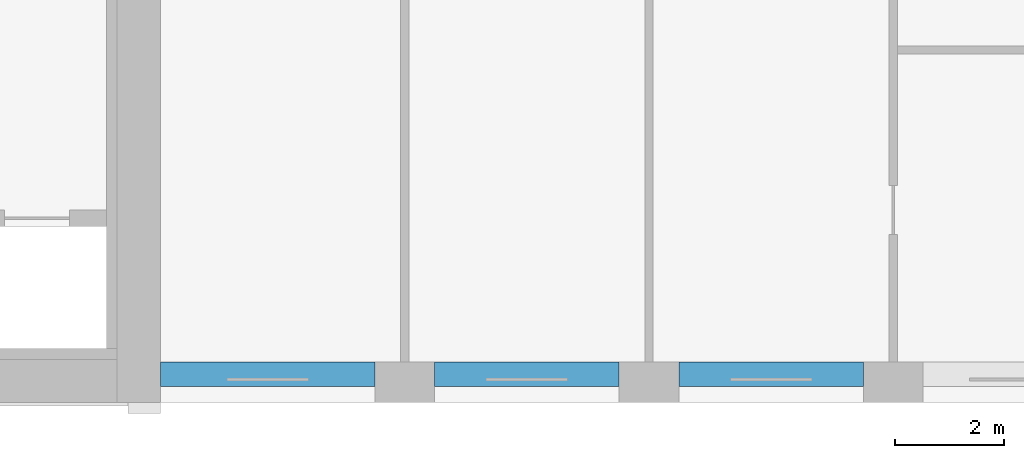
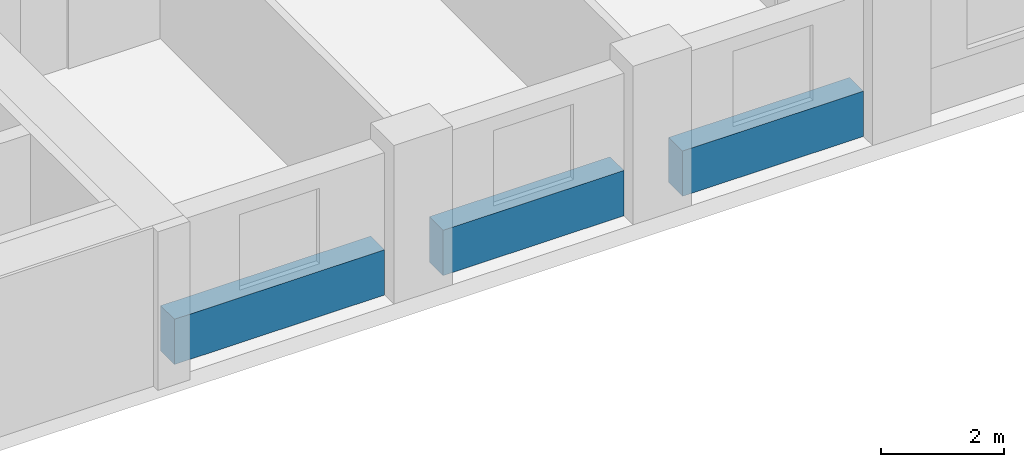
# One storey, part 3 of 16: 3 beams.
"""IFC4 building model written with IfcOpenShell, lengths in metres."""

from ifc_helpers import new_model, si_unit, direction, frame, origin, origin_2d, place, context, subcontext, project, spatial, rectangle, extrude, material, material_profile, profile_set, type_object, element, save


model = new_model("IFC4")

# Units and contexts
model_context = context("Model", 3, precision=1e-05, world=origin(), true_north=direction((0.0, 1.0)))
body_context = subcontext(model_context, "Body", "Model", "MODEL_VIEW")
ifc_project = project(units=[si_unit("LENGTHUNIT", "METRE"), si_unit("AREAUNIT", "SQUARE_METRE"), si_unit("VOLUMEUNIT", "CUBIC_METRE"), si_unit("PLANEANGLEUNIT", "RADIAN"), si_unit("MASSUNIT", "GRAM", prefix="KILO")], contexts=[model_context])

# Site, building, storey
site_placement = place(None, origin())
site = spatial("IfcSite", under=ifc_project, at=site_placement, CompositionType="ELEMENT")
building_placement = place(site_placement, origin())
building = spatial("IfcBuilding", under=site, at=building_placement, Name="Brigalow Station Residences", CompositionType="ELEMENT")
storey_placement = place(building_placement, frame((0.0, 0.0, 105.60009765625)))
storey = spatial("IfcBuildingStorey", under=building, at=storey_placement, Name="L30", CompositionType="ELEMENT", Elevation=105.60009765625)

# Beams
ifc_material = material(Name="Concrete C65", Category="concrete")
ifc_material_profile = material_profile(ifc_material, rectangle(XDim=0.449951171875, YDim=0.89990234375, at=origin_2d()), Name="RC450x900")
ifc_profile_set = profile_set([ifc_material_profile], Name="Concrete C65")
beam_type = type_object("IfcBeamType", Name="SPANDREL BEAM 450x900 C65", PredefinedType="SPANDREL", material=ifc_profile_set)
beam_placement = place(storey_placement, frame((54.0, 0.52490234375, 0.449951171875), z_axis=(1.0, 0.0, 0.0), x_axis=(0.0, 1.0, 0.0)))
element("IfcBeam", 1, at=beam_placement, inside=storey, type_object=beam_type, Name="L30/spandrel/W-L30-4", PredefinedType="SPANDREL", context=body_context, shape_type="SweptSolid", body=[
    extrude(rectangle(XDim=0.449951171875, YDim=0.89990234375, at=origin_2d()), origin(), (0.0, 0.0, 1.0), 3.949951171875),
])
for number, where, z_axis, x_axis, name in (
    (2, (59.050048828125, 0.52490234375, 0.449951171875), (1.0, 0.0, 0.0), (0.0, 1.0, 0.0), "L30/spandrel/W-L30-5"),
    (3, (63.550048828125, 0.52490234375, 0.449951171875), (1.0, 0.0, 0.0), (0.0, 1.0, 0.0), "L30/spandrel/W-L30-6"),
):
    element("IfcBeam", number, at=place(storey_placement, frame(where, z_axis=z_axis, x_axis=x_axis)), inside=storey, type_object=beam_type, Name=name, PredefinedType="SPANDREL", context=body_context, shape_type="SweptSolid", body=[
        extrude(rectangle(XDim=0.449951171875, YDim=0.89990234375, at=origin_2d()), origin(), (0.0, 0.0, 1.0), 3.39990234375),
    ])

save(model, "model.ifc")
